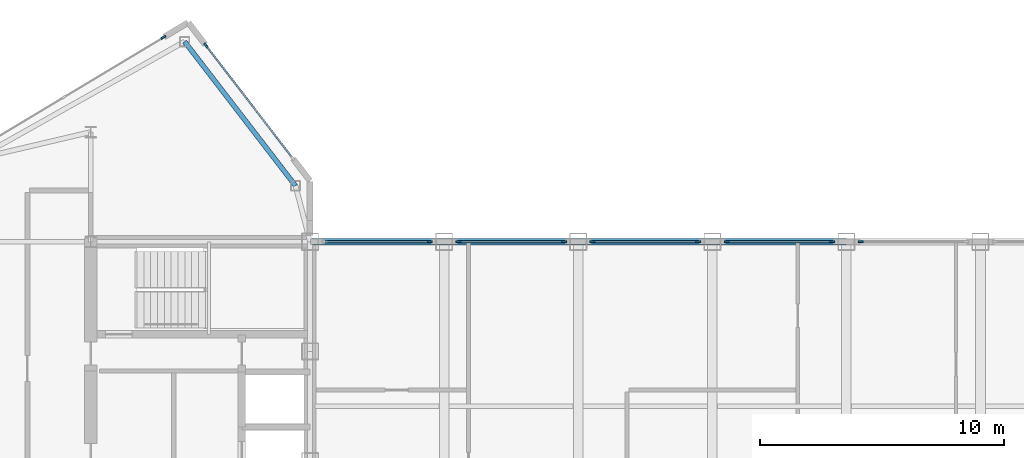
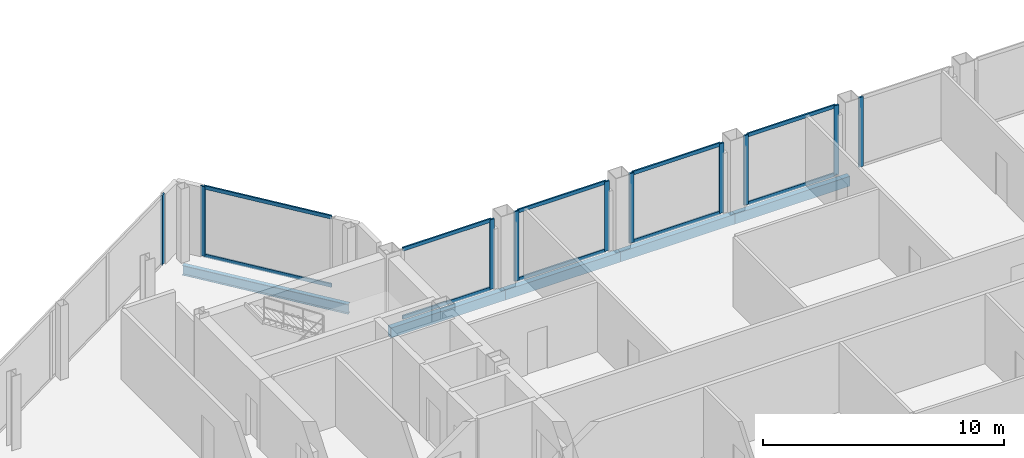
# One storey, part 12 of 28: 20 members, 5 beams, 7 elements without a shape of their own.
"""IFC4 building model written with IfcOpenShell, lengths in metres."""

from ifc_helpers import new_model, si_unit, direction, frame, origin, origin_2d, place, context, subcontext, project, spatial, rectangle, hollow_rectangle, i_section, extrude, source, transform, mapped, material, layer, layer_set, material_profile, profile_set, type_object, type_shapes, element, aggregate, save


model = new_model("IFC4")

# Units and contexts
model_context = context("Model", 3, precision=1e-05, world=origin(), true_north=direction((0.0, 1.0)))
body_context = subcontext(model_context, "Body", "Model", "MODEL_VIEW")
ifc_project = project(units=[si_unit("LENGTHUNIT", "METRE"), si_unit("AREAUNIT", "SQUARE_METRE"), si_unit("VOLUMEUNIT", "CUBIC_METRE"), si_unit("PLANEANGLEUNIT", "RADIAN"), si_unit("MASSUNIT", "GRAM", prefix="KILO")], contexts=[model_context])

# Site, building, storey
site_placement = place(None, origin())
site = spatial("IfcSite", under=ifc_project, at=site_placement, CompositionType="ELEMENT")
building_placement = place(site_placement, origin())
building = spatial("IfcBuilding", under=site, at=building_placement, Name="Seokmaru Belvedere", CompositionType="ELEMENT")
storey_placement = place(building_placement, frame((0.0, 0.0, 261.89990234375)))
storey = spatial("IfcBuildingStorey", under=building, at=storey_placement, Name="L69", CompositionType="ELEMENT", Elevation=261.89990234375)

# Beams
ifc_material_1 = material(Name="Steel SM355 (355 MPa)", Category="steel")
ifc_material_profile_1 = material_profile(ifc_material_1, i_section(OverallWidth=0.199951171875, OverallDepth=0.5, WebThickness=0.010009765625, FlangeThickness=0.01611328125, at=origin_2d()), Name="H-500x200x10x16")
ifc_profile_set_1 = profile_set([ifc_material_profile_1], Name="Steel SM355 (355 MPa)")
beam_type_1 = type_object("IfcBeamType", Name="Perimeter Spandrel Beam H-500", PredefinedType="SPANDREL", material=ifc_profile_set_1)
shared_shape_1 = source(origin(), body_context, "Body", "SweptSolid", [
    extrude(i_section(OverallWidth=0.199951171875, OverallDepth=0.5, WebThickness=0.010009765625, FlangeThickness=0.01611328125, at=origin_2d()), origin(), (0.0, 0.0, 1.0), 7.4619140625),
])
type_shapes(beam_type_1, [shared_shape_1])
beam_placement = place(storey_placement, frame((-32.649658203125, 21.71044921875, -0.469970703125), z_axis=(0.609702854945, -0.792630070507, 0.0), x_axis=(0.792630070507, 0.609702854945, 0.0)))
element("IfcBeam", 1, at=beam_placement, inside=storey, type_object=beam_type_1, Name="L69 W Shoulder Chamfer Spandrel N", PredefinedType="SPANDREL", context=body_context, shape_type="MappedRepresentation", body=[
    mapped(shared_shape_1, transform((0.0, 0.0, 0.0), scale=1.0)),
])
ifc_material_profile_2 = material_profile(ifc_material_1, hollow_rectangle(XDim=0.25, YDim=0.5, WallThickness=0.013916015625, at=origin_2d()), Name="RHS-500x250x14")
ifc_profile_set_2 = profile_set([ifc_material_profile_2], Name="Steel SM355 (355 MPa)")
beam_type_2 = type_object("IfcBeamType", Name="Bridge Edge Spandrel RHS-500", PredefinedType="SPANDREL", material=ifc_profile_set_2)
shared_shape_2 = source(origin(), body_context, "Body", "SweptSolid", [
    extrude(hollow_rectangle(XDim=0.25, YDim=0.5, WallThickness=0.013916015625, at=origin_2d()), origin(), (0.0, 0.0, 1.0), 5.5),
])
type_shapes(beam_type_2, [shared_shape_2])
for number, where, z_axis, x_axis, name in (
    (2, (-27.5, 13.5, -0.469970703125), (1.0, 0.0, 0.0), (0.0, 1.0, 0.0), "L69 Sky-Gate Bridge Edge Girder N-01"),
    (3, (-22.0, 13.5, -0.469970703125), (1.0, 0.0, 0.0), (0.0, 1.0, 0.0), "L69 Sky-Gate Bridge Edge Girder N-02"),
    (4, (-16.5, 13.5, -0.469970703125), (1.0, 0.0, 0.0), (0.0, 1.0, 0.0), "L69 Sky-Gate Bridge Edge Girder N-03"),
    (5, (-11.0, 13.5, -0.469970703125), (1.0, 0.0, 0.0), (0.0, 1.0, 0.0), "L69 Sky-Gate Bridge Edge Girder N-04"),
):
    element("IfcBeam", number, at=place(storey_placement, frame(where, z_axis=z_axis, x_axis=x_axis)), inside=storey, type_object=beam_type_2, Name=name, PredefinedType="SPANDREL", context=body_context, shape_type="MappedRepresentation", body=[
        mapped(shared_shape_2, transform((0.0, 0.0, 0.0), scale=1.0)),
    ])

# Curtain wall, members
ifc_material_2 = material(Name="Bronze Triple Insulating Glass", Category="glass")
ifc_layer = layer(ifc_material_2, 0.219970703125)
ifc_layer_set = layer_set([ifc_layer], Name="Bronze Triple Insulating Glass")
curtain_wall_type = type_object("IfcCurtainWallType", Name="Sky-Gate Bridge Panorama Curtain Wall System CW-6", PredefinedType="NOTDEFINED", material=ifc_layer_set)
curtain_wall_1_placement = place(storey_placement, origin())
curtain_wall_1 = element("IfcCurtainWall", 6, at=curtain_wall_1_placement, inside=storey, type_object=curtain_wall_type, Name="L69 Curtain Wall WF2", PredefinedType="NOTDEFINED")
ifc_material_3 = material(Name="Anodised Bronze Aluminium", Category="aluminium")
ifc_material_profile_3 = material_profile(ifc_material_3, rectangle(XDim=0.074951171875, YDim=0.179931640625, at=origin_2d()), Name="CW-T-75x180")
ifc_profile_set_3 = profile_set([ifc_material_profile_3], Name="Anodised Bronze Aluminium")
member_type_1 = type_object("IfcMemberType", Name="Bronze Unitised Transom 75x180", PredefinedType="USERDEFINED", material=ifc_profile_set_3)
shared_shape_3 = source(origin(), body_context, "Body", "SweptSolid", [
    extrude(rectangle(XDim=0.074951171875, YDim=0.179931640625, at=origin_2d()), origin(), (0.0, 0.0, 1.0), 5.74072265625),
])
member_1_placement = place(storey_placement, frame((-28.25, 16.974853515625, 0.03759765625), z_axis=(-0.609686097287, 0.792642960465, 0.0), x_axis=(-0.792642960465, -0.609686097287, 0.0)))
member_1 = element("IfcMember", 7, at=member_1_placement, type_object=member_type_1, Name="CW:L69:WF2 Continuous Transom 1", ObjectType="TRANSOM", PredefinedType="USERDEFINED", context=body_context, shape_type="MappedRepresentation", body=[
    mapped(shared_shape_3, transform((0.0, 0.0, 0.0), scale=1.0)),
])
member_2_placement = place(storey_placement, frame((-28.25, 16.974853515625, 3.49267578125), z_axis=(-0.609686097287, 0.792642960465, 0.0), x_axis=(-0.792642960465, -0.609686097287, 0.0)))
member_2 = element("IfcMember", 8, at=member_2_placement, type_object=member_type_1, Name="CW:L69:WF2 Continuous Transom 2", ObjectType="TRANSOM", PredefinedType="USERDEFINED", context=body_context, shape_type="MappedRepresentation", body=[
    mapped(shared_shape_3, transform((0.0, 0.0, 0.0), scale=1.0)),
])

curtain_wall_2_placement = place(storey_placement, origin())
curtain_wall_2 = element("IfcCurtainWall", 9, at=curtain_wall_2_placement, inside=storey, type_object=curtain_wall_type, Name="L69 Curtain Wall BR_N01", PredefinedType="NOTDEFINED")
shared_shape_4 = source(origin(), body_context, "Body", "SweptSolid", [
    extrude(rectangle(XDim=0.074951171875, YDim=0.179931640625, at=origin_2d()), origin(), (0.0, 0.0, 1.0), 4.240234375),
])
type_shapes(member_type_1, [shared_shape_3, shared_shape_4])
member_3_placement = place(storey_placement, frame((-22.6298828125, 13.5, 0.03759765625), z_axis=(-1.0, 0.0, 0.0), x_axis=(0.0, -1.0, 0.0)))
member_3 = element("IfcMember", 10, at=member_3_placement, type_object=member_type_1, Name="CW:L69:BR_N01 Continuous Transom 1", ObjectType="TRANSOM", PredefinedType="USERDEFINED", context=body_context, shape_type="MappedRepresentation", body=[
    mapped(shared_shape_4, transform((0.0, 0.0, 0.0), scale=1.0)),
])
member_4_placement = place(storey_placement, frame((-22.6298828125, 13.5, 3.49267578125), z_axis=(-1.0, 0.0, 0.0), x_axis=(0.0, -1.0, 0.0)))
member_4 = element("IfcMember", 11, at=member_4_placement, type_object=member_type_1, Name="CW:L69:BR_N01 Continuous Transom 2", ObjectType="TRANSOM", PredefinedType="USERDEFINED", context=body_context, shape_type="MappedRepresentation", body=[
    mapped(shared_shape_4, transform((0.0, 0.0, 0.0), scale=1.0)),
])

curtain_wall_3_placement = place(storey_placement, origin())
curtain_wall_3 = element("IfcCurtainWall", 12, at=curtain_wall_3_placement, inside=storey, type_object=curtain_wall_type, Name="L69 Curtain Wall BR_N02", PredefinedType="NOTDEFINED")
member_5_placement = place(storey_placement, frame((-17.1298828125, 13.5, 0.03759765625), z_axis=(-1.0, 0.0, 0.0), x_axis=(0.0, -1.0, 0.0)))
member_5 = element("IfcMember", 13, at=member_5_placement, type_object=member_type_1, Name="CW:L69:BR_N02 Continuous Transom 1", ObjectType="TRANSOM", PredefinedType="USERDEFINED", context=body_context, shape_type="MappedRepresentation", body=[
    mapped(shared_shape_4, transform((0.0, 0.0, 0.0), scale=1.0)),
])
member_6_placement = place(storey_placement, frame((-17.1298828125, 13.5, 3.49267578125), z_axis=(-1.0, 0.0, 0.0), x_axis=(0.0, -1.0, 0.0)))
member_6 = element("IfcMember", 14, at=member_6_placement, type_object=member_type_1, Name="CW:L69:BR_N02 Continuous Transom 2", ObjectType="TRANSOM", PredefinedType="USERDEFINED", context=body_context, shape_type="MappedRepresentation", body=[
    mapped(shared_shape_4, transform((0.0, 0.0, 0.0), scale=1.0)),
])

curtain_wall_4_placement = place(storey_placement, origin())
curtain_wall_4 = element("IfcCurtainWall", 15, at=curtain_wall_4_placement, inside=storey, type_object=curtain_wall_type, Name="L69 Curtain Wall BR_N03", PredefinedType="NOTDEFINED")
member_7_placement = place(storey_placement, frame((-11.6298828125, 13.5, 0.03759765625), z_axis=(-1.0, 0.0, 0.0), x_axis=(0.0, -1.0, 0.0)))
member_7 = element("IfcMember", 16, at=member_7_placement, type_object=member_type_1, Name="CW:L69:BR_N03 Continuous Transom 1", ObjectType="TRANSOM", PredefinedType="USERDEFINED", context=body_context, shape_type="MappedRepresentation", body=[
    mapped(shared_shape_4, transform((0.0, 0.0, 0.0), scale=1.0)),
])
member_8_placement = place(storey_placement, frame((-11.6298828125, 13.5, 3.49267578125), z_axis=(-1.0, 0.0, 0.0), x_axis=(0.0, -1.0, 0.0)))
member_8 = element("IfcMember", 17, at=member_8_placement, type_object=member_type_1, Name="CW:L69:BR_N03 Continuous Transom 2", ObjectType="TRANSOM", PredefinedType="USERDEFINED", context=body_context, shape_type="MappedRepresentation", body=[
    mapped(shared_shape_4, transform((0.0, 0.0, 0.0), scale=1.0)),
])

curtain_wall_5_placement = place(storey_placement, origin())
curtain_wall_5 = element("IfcCurtainWall", 18, at=curtain_wall_5_placement, inside=storey, type_object=curtain_wall_type, Name="L69 Curtain Wall BR_N04", PredefinedType="NOTDEFINED")
member_9_placement = place(storey_placement, frame((-6.1298828125, 13.5, 0.03759765625), z_axis=(-1.0, 0.0, 0.0), x_axis=(0.0, -1.0, 0.0)))
member_9 = element("IfcMember", 19, at=member_9_placement, type_object=member_type_1, Name="CW:L69:BR_N04 Continuous Transom 1", ObjectType="TRANSOM", PredefinedType="USERDEFINED", context=body_context, shape_type="MappedRepresentation", body=[
    mapped(shared_shape_4, transform((0.0, 0.0, 0.0), scale=1.0)),
])
member_10_placement = place(storey_placement, frame((-6.1298828125, 13.5, 3.49267578125), z_axis=(-1.0, 0.0, 0.0), x_axis=(0.0, -1.0, 0.0)))
member_10 = element("IfcMember", 20, at=member_10_placement, type_object=member_type_1, Name="CW:L69:BR_N04 Continuous Transom 2", ObjectType="TRANSOM", PredefinedType="USERDEFINED", context=body_context, shape_type="MappedRepresentation", body=[
    mapped(shared_shape_4, transform((0.0, 0.0, 0.0), scale=1.0)),
])

# Member
ifc_material_profile_4 = material_profile(ifc_material_3, rectangle(XDim=0.080078125, YDim=0.219970703125, at=origin_2d()), Name="CW-M-80x220")
ifc_profile_set_4 = profile_set([ifc_material_profile_4], Name="Anodised Bronze Aluminium")
member_type_2 = type_object("IfcMemberType", Name="Bronze Unitised Mullion 80x220", PredefinedType="MULLION", material=ifc_profile_set_4)
shared_shape_5 = source(origin(), body_context, "Body", "SweptSolid", [
    extrude(rectangle(XDim=0.080078125, YDim=0.219970703125, at=origin_2d()), origin(), (0.0, 0.0, 1.0), 3.530029296875),
])
type_shapes(member_type_2, [shared_shape_5])
member_11_placement = place(storey_placement, frame((-31.7744140625, 21.556884765625, 0.0), z_axis=(0.0, 0.0, 1.0), x_axis=(-0.792631353244, -0.609701187349, 0.0)))
member_11 = element("IfcMember", 21, at=member_11_placement, type_object=member_type_2, Name="CW:L69:WF2 Mullion 2", PredefinedType="MULLION", context=body_context, shape_type="MappedRepresentation", body=[
    mapped(shared_shape_5, transform((0.0, 0.0, 0.0), scale=1.0)),
])

aggregate(curtain_wall_1, [member_11, member_1, member_2])

# Curtain wall, member
curtain_wall_6_placement = place(storey_placement, origin())
curtain_wall_6 = element("IfcCurtainWall", 22, at=curtain_wall_6_placement, inside=storey, type_object=curtain_wall_type, Name="L69 Curtain Wall WF3", PredefinedType="NOTDEFINED")
member_12_placement = place(storey_placement, frame((-33.5205078125, 21.8876953125, 0.0), z_axis=(0.0, 0.0, 1.0), x_axis=(0.514494909364, -0.85749343335, 0.0)))
member_12 = element("IfcMember", 23, at=member_12_placement, type_object=member_type_2, Name="CW:L69:WF3 Mullion 1", PredefinedType="MULLION", context=body_context, shape_type="MappedRepresentation", body=[
    mapped(shared_shape_5, transform((0.0, 0.0, 0.0), scale=1.0)),
])
aggregate(curtain_wall_6, [member_12])

# Member
member_13_placement = place(storey_placement, frame((-22.590087890625, 13.5, 0.0), z_axis=(0.0, 0.0, 1.0), x_axis=(0.0, -1.0, 0.0)))
member_13 = element("IfcMember", 24, at=member_13_placement, type_object=member_type_2, Name="CW:L69:BR_N01 Mullion 1", PredefinedType="MULLION", context=body_context, shape_type="MappedRepresentation", body=[
    mapped(shared_shape_5, transform((0.0, 0.0, 0.0), scale=1.0)),
])

aggregate(curtain_wall_2, [member_13, member_3, member_4])

member_14_placement = place(storey_placement, frame((-17.090087890625, 13.5, 0.0), z_axis=(0.0, 0.0, 1.0), x_axis=(0.0, -1.0, 0.0)))
member_14 = element("IfcMember", 25, at=member_14_placement, type_object=member_type_2, Name="CW:L69:BR_N02 Mullion 1", PredefinedType="MULLION", context=body_context, shape_type="MappedRepresentation", body=[
    mapped(shared_shape_5, transform((0.0, 0.0, 0.0), scale=1.0)),
])

member_15_placement = place(storey_placement, frame((-21.409912109375, 13.5, 0.0), z_axis=(0.0, 0.0, 1.0), x_axis=(0.0, -1.0, 0.0)))
member_15 = element("IfcMember", 26, at=member_15_placement, type_object=member_type_2, Name="CW:L69:BR_N02 Mullion 2", PredefinedType="MULLION", context=body_context, shape_type="MappedRepresentation", body=[
    mapped(shared_shape_5, transform((0.0, 0.0, 0.0), scale=1.0)),
])

aggregate(curtain_wall_3, [member_14, member_15, member_5, member_6])

member_16_placement = place(storey_placement, frame((-11.590087890625, 13.5, 0.0), z_axis=(0.0, 0.0, 1.0), x_axis=(0.0, -1.0, 0.0)))
member_16 = element("IfcMember", 27, at=member_16_placement, type_object=member_type_2, Name="CW:L69:BR_N03 Mullion 1", PredefinedType="MULLION", context=body_context, shape_type="MappedRepresentation", body=[
    mapped(shared_shape_5, transform((0.0, 0.0, 0.0), scale=1.0)),
])

member_17_placement = place(storey_placement, frame((-15.909912109375, 13.5, 0.0), z_axis=(0.0, 0.0, 1.0), x_axis=(0.0, -1.0, 0.0)))
member_17 = element("IfcMember", 28, at=member_17_placement, type_object=member_type_2, Name="CW:L69:BR_N03 Mullion 2", PredefinedType="MULLION", context=body_context, shape_type="MappedRepresentation", body=[
    mapped(shared_shape_5, transform((0.0, 0.0, 0.0), scale=1.0)),
])

aggregate(curtain_wall_4, [member_16, member_17, member_7, member_8])

member_18_placement = place(storey_placement, frame((-6.090087890625, 13.5, 0.0), z_axis=(0.0, 0.0, 1.0), x_axis=(0.0, -1.0, 0.0)))
member_18 = element("IfcMember", 29, at=member_18_placement, type_object=member_type_2, Name="CW:L69:BR_N04 Mullion 1", PredefinedType="MULLION", context=body_context, shape_type="MappedRepresentation", body=[
    mapped(shared_shape_5, transform((0.0, 0.0, 0.0), scale=1.0)),
])

member_19_placement = place(storey_placement, frame((-10.409912109375, 13.5, 0.0), z_axis=(0.0, 0.0, 1.0), x_axis=(0.0, -1.0, 0.0)))
member_19 = element("IfcMember", 30, at=member_19_placement, type_object=member_type_2, Name="CW:L69:BR_N04 Mullion 2", PredefinedType="MULLION", context=body_context, shape_type="MappedRepresentation", body=[
    mapped(shared_shape_5, transform((0.0, 0.0, 0.0), scale=1.0)),
])

aggregate(curtain_wall_5, [member_18, member_19, member_9, member_10])

# Curtain wall, member
curtain_wall_7_placement = place(storey_placement, origin())
curtain_wall_7 = element("IfcCurtainWall", 31, at=curtain_wall_7_placement, inside=storey, type_object=curtain_wall_type, Name="L69 Curtain Wall BR_N05", PredefinedType="NOTDEFINED")
member_20_placement = place(storey_placement, frame((-4.909912109375, 13.5, 0.0), z_axis=(0.0, 0.0, 1.0), x_axis=(0.0, -1.0, 0.0)))
member_20 = element("IfcMember", 32, at=member_20_placement, type_object=member_type_2, Name="CW:L69:BR_N05 Mullion 2", PredefinedType="MULLION", context=body_context, shape_type="MappedRepresentation", body=[
    mapped(shared_shape_5, transform((0.0, 0.0, 0.0), scale=1.0)),
])
aggregate(curtain_wall_7, [member_20])

save(model, "model.ifc")
